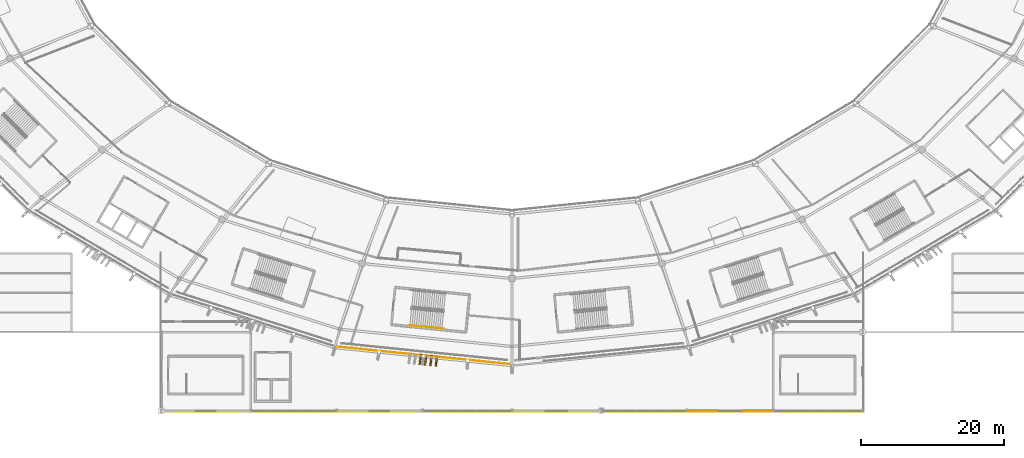
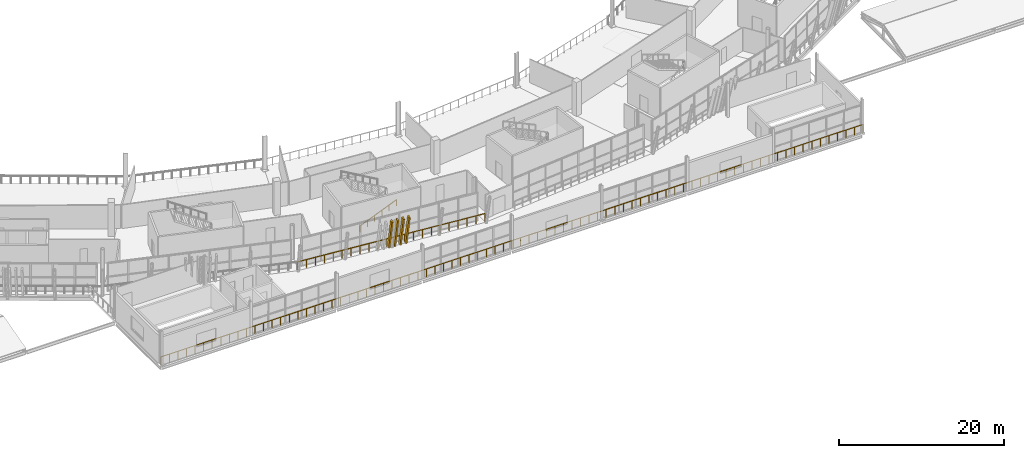
# One storey, part 150 of 179: 4 shading devices, 3 railings.
"""IFC4 building model written with IfcOpenShell, lengths in metres."""

import ifcopenshell
import ifcopenshell.guid

model = None  # the IFC model being written
_history = None  # IfcOwnerHistory: only IFC2X3 demands one
_inside = {}  # id of a spatial element -> (the spatial element, [elements in it])
_under = {}  # id of a project, library or spatial element -> (it, [spatial elements below it])
_declared = {}  # id of a project -> (the project, [libraries it declares])
_typed = {}  # id of a type object -> (the type object, [elements of that type])
_made_of = {}  # id of a material, layer set ... -> (it, [elements and type objects made of it])


def new_model(schema):
    """Start an empty IFC model of exactly this schema.

    Asked for "IFC4X3", IfcOpenShell would pick the latest addendum, in which some entities
    have other attributes; the version numbers below select the first issue.
    IFC2X3 requires an IfcOwnerHistory on every rooted entity: one is made here for all.
    """
    global model, _history
    if schema == "IFC4X3":
        model = ifcopenshell.file(schema_version=(4, 3, 0, 0))
    else:
        model = ifcopenshell.file(schema=schema)
    _inside.clear()
    _under.clear()
    _declared.clear()
    _typed.clear()
    _made_of.clear()
    _history = None
    if model.schema == "IFC2X3":
        org = make("IfcOrganization", Name="unknown")
        user = make(
            "IfcPersonAndOrganization",
            ThePerson=make("IfcPerson", FamilyName="unknown"),
            TheOrganization=org,
        )
        app = make(
            "IfcApplication",
            ApplicationDeveloper=org,
            Version="unknown",
            ApplicationFullName="unknown",
            ApplicationIdentifier="unknown",
        )
        _history = make(
            "IfcOwnerHistory",
            OwningUser=user,
            OwningApplication=app,
            ChangeAction="ADDED",
            CreationDate=0,
        )
    return model


def make(cls, **values):
    """One entity of the class cls with the attributes given. An attribute that is None is left unset."""
    return model.create_entity(
        cls, **{name: value for name, value in values.items() if value is not None}
    )


def rooted(cls, **values):
    """An entity with a GlobalId (a new one), such as an element, a storey or a relation."""
    return make(cls, GlobalId=ifcopenshell.guid.new(), OwnerHistory=_history, **values)


def si_unit(unit_type, name, prefix=None):
    """IfcSIUnit, for example si_unit("LENGTHUNIT", "METRE", prefix="MILLI")."""
    return make("IfcSIUnit", UnitType=unit_type, Prefix=prefix, Name=name)


def assignment(units):
    """IfcUnitAssignment: the units of a project."""
    return None if units is None else make("IfcUnitAssignment", Units=units)


def point(xyz):
    """IfcCartesianPoint."""
    return None if xyz is None else make("IfcCartesianPoint", Coordinates=xyz)


def direction(xyz):
    """IfcDirection."""
    return None if xyz is None else make("IfcDirection", DirectionRatios=xyz)


def frame(location, z_axis=None, x_axis=None):
    """IfcAxis2Placement3D, a coordinate frame: its origin and axes. An axis left out is left unset."""
    return make(
        "IfcAxis2Placement3D",
        Location=point(location),
        Axis=direction(z_axis),
        RefDirection=direction(x_axis),
    )


def frame_2d(location, x_axis=None):
    """IfcAxis2Placement2D, a coordinate frame in the plane: its origin and x axis."""
    return make(
        "IfcAxis2Placement2D", Location=point(location), RefDirection=direction(x_axis)
    )


def origin():
    """The frame at (0, 0, 0) with its axes left unset."""
    return frame((0.0, 0.0, 0.0))


def origin_2d():
    """The frame at (0, 0) in the plane with its x axis left unset."""
    return frame_2d((0.0, 0.0))


def place(relative_to, where):
    """IfcLocalPlacement: puts the frame where relative to a parent placement (None: the world)."""
    return make(
        "IfcLocalPlacement", PlacementRelTo=relative_to, RelativePlacement=where
    )


def context(
    kind, dimensions, precision=None, world=None, true_north=None, identifier=None
):
    """IfcGeometricRepresentationContext, for example the 3D "Model" context."""
    return make(
        "IfcGeometricRepresentationContext",
        ContextIdentifier=identifier,
        ContextType=kind,
        CoordinateSpaceDimension=dimensions,
        Precision=precision,
        WorldCoordinateSystem=world,
        TrueNorth=true_north,
    )


def subcontext(parent, identifier, kind, view, scale=None):
    """IfcGeometricRepresentationSubContext, for example "Body" below "Model"."""
    return make(
        "IfcGeometricRepresentationSubContext",
        ContextIdentifier=identifier,
        ContextType=kind,
        ParentContext=parent,
        TargetScale=scale,
        TargetView=view,
    )


def project(units=None, contexts=None):
    """IfcProject with its units and contexts."""
    return rooted(
        "IfcProject",
        Name="project",
        RepresentationContexts=contexts,
        UnitsInContext=assignment(units),
    )


def spatial(cls, under=None, at=None, **own):
    """A site, building, storey or space (cls), placed at a placement, below another one or the project."""
    s = rooted(cls, ObjectPlacement=at, **own)
    if under is not None:
        _under.setdefault(under.id(), (under, []))[1].append(s)
    return s


def profile(cls, at=None, kind="AREA", **sizes):
    """A parametric profile (cls). Its sizes go by their IFC names, for example OverallWidth=200.0."""
    return make(cls, ProfileType=kind, Position=at, **sizes)


def rectangle(**sizes):
    """IfcRectangleProfileDef."""
    return profile("IfcRectangleProfileDef", **sizes)


def extrude(swept, where, along, depth):
    """IfcExtrudedAreaSolid: the profile swept, set in the frame where, extruded along a direction by depth."""
    return make(
        "IfcExtrudedAreaSolid",
        SweptArea=swept,
        Position=where,
        ExtrudedDirection=direction(along),
        Depth=depth,
    )


def shape(context_of_items, identifier, shape_type, items):
    """IfcShapeRepresentation: the items that make up one representation, for example the "Body"."""
    return make(
        "IfcShapeRepresentation",
        ContextOfItems=context_of_items,
        RepresentationIdentifier=identifier,
        RepresentationType=shape_type,
        Items=items,
    )


def material(Name=None, Category=None):
    """IfcMaterial."""
    return make("IfcMaterial", Name=Name, Category=Category)


def material_profile(
    of_material, cross_section, Name=None, Category=None, Priority=None
):
    """IfcMaterialProfile: a cross section and its material."""
    return make(
        "IfcMaterialProfile",
        Name=Name,
        Material=of_material,
        Profile=cross_section,
        Priority=Priority,
        Category=Category,
    )


def profile_set(profiles, Name=None, composite=None):
    """IfcMaterialProfileSet."""
    return make(
        "IfcMaterialProfileSet",
        Name=Name,
        MaterialProfiles=profiles,
        CompositeProfile=composite,
    )


def made_of(thing, what):
    """Note that an element or type object is made of a material, layer set ...; save() writes the relation."""
    if what is not None:
        _made_of.setdefault(what.id(), (what, []))[1].append(thing)
    return thing


def type_object(cls, material=None, **own):
    """A type object (cls), such as IfcWallType, which elements share."""
    return made_of(rooted(cls, **own), material)


def element(
    cls,
    number,
    at=None,
    inside=None,
    cuts=None,
    type_object=None,
    material=None,
    context=None,
    identifier="Body",
    shape_type=None,
    held_by="IfcProductDefinitionShape",
    body=None,
    shapes=None,
    **own,
):
    """One element of the class cls, such as IfcWall. Its Tag is "e" and its number.

    at: its placement. inside: the storey or other place that contains it. cuts: it is an
    opening in that element (IfcRelVoidsElement). A single representation is given by context,
    identifier, shape_type and body (its items); several are given by shapes. held_by: the class
    of the entity that holds the representations. save() writes the other relations.
    """
    e = rooted(cls, Tag="e%d" % number, ObjectPlacement=at, **own)
    if body is not None:
        shapes = [shape(context, identifier, shape_type, body)]
    if shapes is not None:
        e.Representation = make(held_by, Representations=shapes)
    if inside is not None:
        _inside.setdefault(inside.id(), (inside, []))[1].append(e)
    if cuts is not None:
        rooted(
            "IfcRelVoidsElement", RelatingBuildingElement=cuts, RelatedOpeningElement=e
        )
    if type_object is not None:
        _typed.setdefault(type_object.id(), (type_object, []))[1].append(e)
    return made_of(e, material)


def aggregate(whole, parts):
    """IfcRelAggregates: a whole, such as a stair, and the parts it consists of."""
    return rooted("IfcRelAggregates", RelatingObject=whole, RelatedObjects=parts)


def save(model, path):
    """Write the relations noted so far, then the file.

    IfcRelAggregates (storeys below a building ...), IfcRelContainedInSpatialStructure (elements
    in a storey), IfcRelDefinesByType, IfcRelAssociatesMaterial and IfcRelDeclares: one each for
    every whole, place, type object, material and project.
    """
    for whole, parts in _under.values():
        aggregate(whole, parts)
    for where, things in _inside.values():
        rooted(
            "IfcRelContainedInSpatialStructure",
            RelatedElements=things,
            RelatingStructure=where,
        )
    for kind, things in _typed.values():
        rooted("IfcRelDefinesByType", RelatedObjects=things, RelatingType=kind)
    for what, things in _made_of.values():
        rooted("IfcRelAssociatesMaterial", RelatedObjects=things, RelatingMaterial=what)
    for by, libraries in _declared.values():
        rooted("IfcRelDeclares", RelatingContext=by, RelatedDefinitions=libraries)
    model.write(path)


model = new_model("IFC4")

# Units and contexts
model_context = context("Model", 3, precision=1e-05, world=origin(), true_north=direction((0.0, 1.0)))
body_context = subcontext(model_context, "Body", "Model", "MODEL_VIEW")
ifc_project = project(units=[si_unit("LENGTHUNIT", "METRE"), si_unit("AREAUNIT", "SQUARE_METRE"), si_unit("VOLUMEUNIT", "CUBIC_METRE"), si_unit("PLANEANGLEUNIT", "RADIAN"), si_unit("MASSUNIT", "GRAM", prefix="KILO")], contexts=[model_context])

# Site, building, storey
site_placement = place(None, origin())
site = spatial("IfcSite", under=ifc_project, at=site_placement, CompositionType="ELEMENT")
building_placement = place(site_placement, origin())
building = spatial("IfcBuilding", under=site, at=building_placement, Name="Zlatoyarsky Gate Stadium", CompositionType="ELEMENT")
storey_placement = place(building_placement, frame((0.0, 0.0, 10.60009765625)))
storey = spatial("IfcBuildingStorey", under=building, at=storey_placement, Name="L02", CompositionType="ELEMENT", Elevation=10.60009765625)

# Railings
ifc_material_1 = material(Name="Powder-coated steel tubular guardrail", Category="steel")
railing_type_1 = type_object("IfcRailingType", Name="CONCOURSE SLAB EDGE GUARDRAIL 1200", PredefinedType="GUARDRAIL", material=ifc_material_1)
railing_1_placement = place(storey_placement, frame((86.28369140625, 9.00830078125, 0.0)))
element("IfcRailing", 1, at=railing_1_placement, inside=storey, type_object=railing_type_1, Name="L02 outer slab edge guardrail 17", PredefinedType="GUARDRAIL", context=body_context, shape_type="SweptSolid", body=[
    extrude(rectangle(XDim=0.048095703125, YDim=0.048095703125, at=origin_2d()), frame((0.0, 0.0, 1.17578125), z_axis=(0.994906741175, -0.10079968435, 0.0), x_axis=(0.10079968435, 0.994906741175, 0.0)), (0.0, 0.0, 1.0), 24.8427734375),
    extrude(rectangle(XDim=0.0419921875, YDim=0.0419921875, at=origin_2d()), origin(), (0.0, 0.0, 1.0), 1.15185546875),
    extrude(rectangle(XDim=0.0419921875, YDim=0.0419921875, at=origin_2d()), frame((1.177001953125, -0.119140625, 0.0)), (0.0, 0.0, 1.0), 1.15185546875),
    extrude(rectangle(XDim=0.0419921875, YDim=0.0419921875, at=origin_2d()), frame((2.35400390625, -0.238525390625, 0.0)), (0.0, 0.0, 1.0), 1.15185546875),
    extrude(rectangle(XDim=0.0419921875, YDim=0.0419921875, at=origin_2d()), frame((3.531005859375, -0.357666015625, 0.0)), (0.0, 0.0, 1.0), 1.15185546875),
    extrude(rectangle(XDim=0.0419921875, YDim=0.0419921875, at=origin_2d()), frame((4.707763671875, -0.47705078125, 0.0)), (0.0, 0.0, 1.0), 1.15185546875),
    extrude(rectangle(XDim=0.0419921875, YDim=0.0419921875, at=origin_2d()), frame((5.884765625, -0.59619140625, 0.0)), (0.0, 0.0, 1.0), 1.15185546875),
    extrude(rectangle(XDim=0.0419921875, YDim=0.0419921875, at=origin_2d()), frame((7.061767578125, -0.715576171875, 0.0)), (0.0, 0.0, 1.0), 1.15185546875),
    extrude(rectangle(XDim=0.0419921875, YDim=0.0419921875, at=origin_2d()), frame((8.23876953125, -0.834716796875, 0.0)), (0.0, 0.0, 1.0), 1.15185546875),
    extrude(rectangle(XDim=0.0419921875, YDim=0.0419921875, at=origin_2d()), frame((9.415771484375, -0.953857421875, 0.0)), (0.0, 0.0, 1.0), 1.15185546875),
    extrude(rectangle(XDim=0.0419921875, YDim=0.0419921875, at=origin_2d()), frame((10.5927734375, -1.0732421875, 0.0)), (0.0, 0.0, 1.0), 1.15185546875),
    extrude(rectangle(XDim=0.0419921875, YDim=0.0419921875, at=origin_2d()), frame((11.769775390625, -1.1923828125, 0.0)), (0.0, 0.0, 1.0), 1.15185546875),
    extrude(rectangle(XDim=0.0419921875, YDim=0.0419921875, at=origin_2d()), frame((12.946533203125, -1.311767578125, 0.0)), (0.0, 0.0, 1.0), 1.15185546875),
    extrude(rectangle(XDim=0.0419921875, YDim=0.0419921875, at=origin_2d()), frame((14.12353515625, -1.430908203125, 0.0)), (0.0, 0.0, 1.0), 1.15185546875),
    extrude(rectangle(XDim=0.0419921875, YDim=0.0419921875, at=origin_2d()), frame((15.300537109375, -1.55029296875, 0.0)), (0.0, 0.0, 1.0), 1.15185546875),
    extrude(rectangle(XDim=0.0419921875, YDim=0.0419921875, at=origin_2d()), frame((16.4775390625, -1.66943359375, 0.0)), (0.0, 0.0, 1.0), 1.15185546875),
    extrude(rectangle(XDim=0.0419921875, YDim=0.0419921875, at=origin_2d()), frame((17.654541015625, -1.78857421875, 0.0)), (0.0, 0.0, 1.0), 1.15185546875),
    extrude(rectangle(XDim=0.0419921875, YDim=0.0419921875, at=origin_2d()), frame((18.83154296875, -1.907958984375, 0.0)), (0.0, 0.0, 1.0), 1.15185546875),
    extrude(rectangle(XDim=0.0419921875, YDim=0.0419921875, at=origin_2d()), frame((20.008544921875, -2.027099609375, 0.0)), (0.0, 0.0, 1.0), 1.15185546875),
    extrude(rectangle(XDim=0.0419921875, YDim=0.0419921875, at=origin_2d()), frame((21.185302734375, -2.146484375, 0.0)), (0.0, 0.0, 1.0), 1.15185546875),
    extrude(rectangle(XDim=0.0419921875, YDim=0.0419921875, at=origin_2d()), frame((22.3623046875, -2.265625, 0.0)), (0.0, 0.0, 1.0), 1.15185546875),
    extrude(rectangle(XDim=0.0419921875, YDim=0.0419921875, at=origin_2d()), frame((23.539306640625, -2.385009765625, 0.0)), (0.0, 0.0, 1.0), 1.15185546875),
    extrude(rectangle(XDim=0.0419921875, YDim=0.0419921875, at=origin_2d()), frame((24.71630859375, -2.504150390625, 0.0)), (0.0, 0.0, 1.0), 1.15185546875),
])
railing_2_placement = place(storey_placement, frame((61.919921875, -0.080078125, 0.0)))
element("IfcRailing", 2, at=railing_2_placement, inside=storey, type_object=railing_type_1, Name="V3_SOUTH L02 S slab edge guardrail", PredefinedType="GUARDRAIL", context=body_context, shape_type="SweptSolid", body=[
    extrude(rectangle(XDim=0.048095703125, YDim=0.048095703125, at=origin_2d()), frame((0.0, 0.0, 1.17578125), z_axis=(1.0, 0.0, 0.0), x_axis=(0.0, 1.0, 0.0)), (0.0, 0.0, 1.0), 98.16015625),
    extrude(rectangle(XDim=0.0419921875, YDim=0.0419921875, at=origin_2d()), origin(), (0.0, 0.0, 1.0), 1.15185546875),
    extrude(rectangle(XDim=0.0419921875, YDim=0.0419921875, at=origin_2d()), frame((1.197021484375, 0.0, 0.0)), (0.0, 0.0, 1.0), 1.15185546875),
    extrude(rectangle(XDim=0.0419921875, YDim=0.0419921875, at=origin_2d()), frame((2.39404296875, 0.0, 0.0)), (0.0, 0.0, 1.0), 1.15185546875),
    extrude(rectangle(XDim=0.0419921875, YDim=0.0419921875, at=origin_2d()), frame((3.59130859375, 0.0, 0.0)), (0.0, 0.0, 1.0), 1.15185546875),
    extrude(rectangle(XDim=0.0419921875, YDim=0.0419921875, at=origin_2d()), frame((4.788330078125, 0.0, 0.0)), (0.0, 0.0, 1.0), 1.15185546875),
    extrude(rectangle(XDim=0.0419921875, YDim=0.0419921875, at=origin_2d()), frame((5.9853515625, 0.0, 0.0)), (0.0, 0.0, 1.0), 1.15185546875),
    extrude(rectangle(XDim=0.0419921875, YDim=0.0419921875, at=origin_2d()), frame((7.182373046875, 0.0, 0.0)), (0.0, 0.0, 1.0), 1.15185546875),
    extrude(rectangle(XDim=0.0419921875, YDim=0.0419921875, at=origin_2d()), frame((8.379638671875, 0.0, 0.0)), (0.0, 0.0, 1.0), 1.15185546875),
    extrude(rectangle(XDim=0.0419921875, YDim=0.0419921875, at=origin_2d()), frame((9.57666015625, 0.0, 0.0)), (0.0, 0.0, 1.0), 1.15185546875),
    extrude(rectangle(XDim=0.0419921875, YDim=0.0419921875, at=origin_2d()), frame((10.773681640625, 0.0, 0.0)), (0.0, 0.0, 1.0), 1.15185546875),
    extrude(rectangle(XDim=0.0419921875, YDim=0.0419921875, at=origin_2d()), frame((11.970703125, 0.0, 0.0)), (0.0, 0.0, 1.0), 1.15185546875),
    extrude(rectangle(XDim=0.0419921875, YDim=0.0419921875, at=origin_2d()), frame((13.167724609375, 0.0, 0.0)), (0.0, 0.0, 1.0), 1.15185546875),
    extrude(rectangle(XDim=0.0419921875, YDim=0.0419921875, at=origin_2d()), frame((14.364990234375, 0.0, 0.0)), (0.0, 0.0, 1.0), 1.15185546875),
    extrude(rectangle(XDim=0.0419921875, YDim=0.0419921875, at=origin_2d()), frame((15.56201171875, 0.0, 0.0)), (0.0, 0.0, 1.0), 1.15185546875),
    extrude(rectangle(XDim=0.0419921875, YDim=0.0419921875, at=origin_2d()), frame((16.759033203125, 0.0, 0.0)), (0.0, 0.0, 1.0), 1.15185546875),
    extrude(rectangle(XDim=0.0419921875, YDim=0.0419921875, at=origin_2d()), frame((17.9560546875, 0.0, 0.0)), (0.0, 0.0, 1.0), 1.15185546875),
    extrude(rectangle(XDim=0.0419921875, YDim=0.0419921875, at=origin_2d()), frame((19.1533203125, 0.0, 0.0)), (0.0, 0.0, 1.0), 1.15185546875),
    extrude(rectangle(XDim=0.0419921875, YDim=0.0419921875, at=origin_2d()), frame((20.350341796875, 0.0, 0.0)), (0.0, 0.0, 1.0), 1.15185546875),
    extrude(rectangle(XDim=0.0419921875, YDim=0.0419921875, at=origin_2d()), frame((21.54736328125, 0.0, 0.0)), (0.0, 0.0, 1.0), 1.15185546875),
    extrude(rectangle(XDim=0.0419921875, YDim=0.0419921875, at=origin_2d()), frame((22.744384765625, 0.0, 0.0)), (0.0, 0.0, 1.0), 1.15185546875),
    extrude(rectangle(XDim=0.0419921875, YDim=0.0419921875, at=origin_2d()), frame((23.94140625, 0.0, 0.0)), (0.0, 0.0, 1.0), 1.15185546875),
    extrude(rectangle(XDim=0.0419921875, YDim=0.0419921875, at=origin_2d()), frame((25.138671875, 0.0, 0.0)), (0.0, 0.0, 1.0), 1.15185546875),
    extrude(rectangle(XDim=0.0419921875, YDim=0.0419921875, at=origin_2d()), frame((26.335693359375, 0.0, 0.0)), (0.0, 0.0, 1.0), 1.15185546875),
    extrude(rectangle(XDim=0.0419921875, YDim=0.0419921875, at=origin_2d()), frame((27.53271484375, 0.0, 0.0)), (0.0, 0.0, 1.0), 1.15185546875),
    extrude(rectangle(XDim=0.0419921875, YDim=0.0419921875, at=origin_2d()), frame((28.729736328125, 0.0, 0.0)), (0.0, 0.0, 1.0), 1.15185546875),
    extrude(rectangle(XDim=0.0419921875, YDim=0.0419921875, at=origin_2d()), frame((29.9267578125, 0.0, 0.0)), (0.0, 0.0, 1.0), 1.15185546875),
    extrude(rectangle(XDim=0.0419921875, YDim=0.0419921875, at=origin_2d()), frame((31.1240234375, 0.0, 0.0)), (0.0, 0.0, 1.0), 1.15185546875),
    extrude(rectangle(XDim=0.0419921875, YDim=0.0419921875, at=origin_2d()), frame((32.321044921875, 0.0, 0.0)), (0.0, 0.0, 1.0), 1.15185546875),
    extrude(rectangle(XDim=0.0419921875, YDim=0.0419921875, at=origin_2d()), frame((33.51806640625, 0.0, 0.0)), (0.0, 0.0, 1.0), 1.15185546875),
    extrude(rectangle(XDim=0.0419921875, YDim=0.0419921875, at=origin_2d()), frame((34.715087890625, 0.0, 0.0)), (0.0, 0.0, 1.0), 1.15185546875),
    extrude(rectangle(XDim=0.0419921875, YDim=0.0419921875, at=origin_2d()), frame((35.912353515625, 0.0, 0.0)), (0.0, 0.0, 1.0), 1.15185546875),
    extrude(rectangle(XDim=0.0419921875, YDim=0.0419921875, at=origin_2d()), frame((37.109375, 0.0, 0.0)), (0.0, 0.0, 1.0), 1.15185546875),
    extrude(rectangle(XDim=0.0419921875, YDim=0.0419921875, at=origin_2d()), frame((38.306396484375, 0.0, 0.0)), (0.0, 0.0, 1.0), 1.15185546875),
    extrude(rectangle(XDim=0.0419921875, YDim=0.0419921875, at=origin_2d()), frame((39.50341796875, 0.0, 0.0)), (0.0, 0.0, 1.0), 1.15185546875),
    extrude(rectangle(XDim=0.0419921875, YDim=0.0419921875, at=origin_2d()), frame((40.700439453125, 0.0, 0.0)), (0.0, 0.0, 1.0), 1.15185546875),
    extrude(rectangle(XDim=0.0419921875, YDim=0.0419921875, at=origin_2d()), frame((41.897705078125, 0.0, 0.0)), (0.0, 0.0, 1.0), 1.15185546875),
    extrude(rectangle(XDim=0.0419921875, YDim=0.0419921875, at=origin_2d()), frame((43.0947265625, 0.0, 0.0)), (0.0, 0.0, 1.0), 1.15185546875),
    extrude(rectangle(XDim=0.0419921875, YDim=0.0419921875, at=origin_2d()), frame((44.291748046875, 0.0, 0.0)), (0.0, 0.0, 1.0), 1.15185546875),
    extrude(rectangle(XDim=0.0419921875, YDim=0.0419921875, at=origin_2d()), frame((45.48876953125, 0.0, 0.0)), (0.0, 0.0, 1.0), 1.15185546875),
    extrude(rectangle(XDim=0.0419921875, YDim=0.0419921875, at=origin_2d()), frame((46.68603515625, 0.0, 0.0)), (0.0, 0.0, 1.0), 1.15185546875),
    extrude(rectangle(XDim=0.0419921875, YDim=0.0419921875, at=origin_2d()), frame((47.883056640625, 0.0, 0.0)), (0.0, 0.0, 1.0), 1.15185546875),
    extrude(rectangle(XDim=0.0419921875, YDim=0.0419921875, at=origin_2d()), frame((49.080078125, 0.0, 0.0)), (0.0, 0.0, 1.0), 1.15185546875),
    extrude(rectangle(XDim=0.0419921875, YDim=0.0419921875, at=origin_2d()), frame((50.277099609375, 0.0, 0.0)), (0.0, 0.0, 1.0), 1.15185546875),
    extrude(rectangle(XDim=0.0419921875, YDim=0.0419921875, at=origin_2d()), frame((51.47412109375, 0.0, 0.0)), (0.0, 0.0, 1.0), 1.15185546875),
    extrude(rectangle(XDim=0.0419921875, YDim=0.0419921875, at=origin_2d()), frame((52.67138671875, 0.0, 0.0)), (0.0, 0.0, 1.0), 1.15185546875),
    extrude(rectangle(XDim=0.0419921875, YDim=0.0419921875, at=origin_2d()), frame((53.868408203125, 0.0, 0.0)), (0.0, 0.0, 1.0), 1.15185546875),
    extrude(rectangle(XDim=0.0419921875, YDim=0.0419921875, at=origin_2d()), frame((55.0654296875, 0.0, 0.0)), (0.0, 0.0, 1.0), 1.15185546875),
    extrude(rectangle(XDim=0.0419921875, YDim=0.0419921875, at=origin_2d()), frame((56.262451171875, 0.0, 0.0)), (0.0, 0.0, 1.0), 1.15185546875),
    extrude(rectangle(XDim=0.0419921875, YDim=0.0419921875, at=origin_2d()), frame((57.459716796875, 0.0, 0.0)), (0.0, 0.0, 1.0), 1.15185546875),
    extrude(rectangle(XDim=0.0419921875, YDim=0.0419921875, at=origin_2d()), frame((58.65673828125, 0.0, 0.0)), (0.0, 0.0, 1.0), 1.15185546875),
    extrude(rectangle(XDim=0.0419921875, YDim=0.0419921875, at=origin_2d()), frame((59.853759765625, 0.0, 0.0)), (0.0, 0.0, 1.0), 1.15185546875),
    extrude(rectangle(XDim=0.0419921875, YDim=0.0419921875, at=origin_2d()), frame((61.05078125, 0.0, 0.0)), (0.0, 0.0, 1.0), 1.15185546875),
    extrude(rectangle(XDim=0.0419921875, YDim=0.0419921875, at=origin_2d()), frame((62.247802734375, 0.0, 0.0)), (0.0, 0.0, 1.0), 1.15185546875),
    extrude(rectangle(XDim=0.0419921875, YDim=0.0419921875, at=origin_2d()), frame((63.445068359375, 0.0, 0.0)), (0.0, 0.0, 1.0), 1.15185546875),
    extrude(rectangle(XDim=0.0419921875, YDim=0.0419921875, at=origin_2d()), frame((64.64208984375, 0.0, 0.0)), (0.0, 0.0, 1.0), 1.15185546875),
    extrude(rectangle(XDim=0.0419921875, YDim=0.0419921875, at=origin_2d()), frame((65.839111328125, 0.0, 0.0)), (0.0, 0.0, 1.0), 1.15185546875),
    extrude(rectangle(XDim=0.0419921875, YDim=0.0419921875, at=origin_2d()), frame((67.0361328125, 0.0, 0.0)), (0.0, 0.0, 1.0), 1.15185546875),
    extrude(rectangle(XDim=0.0419921875, YDim=0.0419921875, at=origin_2d()), frame((68.2333984375, 0.0, 0.0)), (0.0, 0.0, 1.0), 1.15185546875),
    extrude(rectangle(XDim=0.0419921875, YDim=0.0419921875, at=origin_2d()), frame((69.430419921875, 0.0, 0.0)), (0.0, 0.0, 1.0), 1.15185546875),
    extrude(rectangle(XDim=0.0419921875, YDim=0.0419921875, at=origin_2d()), frame((70.62744140625, 0.0, 0.0)), (0.0, 0.0, 1.0), 1.15185546875),
    extrude(rectangle(XDim=0.0419921875, YDim=0.0419921875, at=origin_2d()), frame((71.824462890625, 0.0, 0.0)), (0.0, 0.0, 1.0), 1.15185546875),
    extrude(rectangle(XDim=0.0419921875, YDim=0.0419921875, at=origin_2d()), frame((73.021484375, 0.0, 0.0)), (0.0, 0.0, 1.0), 1.15185546875),
    extrude(rectangle(XDim=0.0419921875, YDim=0.0419921875, at=origin_2d()), frame((74.21875, 0.0, 0.0)), (0.0, 0.0, 1.0), 1.15185546875),
    extrude(rectangle(XDim=0.0419921875, YDim=0.0419921875, at=origin_2d()), frame((75.415771484375, 0.0, 0.0)), (0.0, 0.0, 1.0), 1.15185546875),
    extrude(rectangle(XDim=0.0419921875, YDim=0.0419921875, at=origin_2d()), frame((76.61279296875, 0.0, 0.0)), (0.0, 0.0, 1.0), 1.15185546875),
    extrude(rectangle(XDim=0.0419921875, YDim=0.0419921875, at=origin_2d()), frame((77.809814453125, 0.0, 0.0)), (0.0, 0.0, 1.0), 1.15185546875),
    extrude(rectangle(XDim=0.0419921875, YDim=0.0419921875, at=origin_2d()), frame((79.0068359375, 0.0, 0.0)), (0.0, 0.0, 1.0), 1.15185546875),
    extrude(rectangle(XDim=0.0419921875, YDim=0.0419921875, at=origin_2d()), frame((80.2041015625, 0.0, 0.0)), (0.0, 0.0, 1.0), 1.15185546875),
    extrude(rectangle(XDim=0.0419921875, YDim=0.0419921875, at=origin_2d()), frame((81.401123046875, 0.0, 0.0)), (0.0, 0.0, 1.0), 1.15185546875),
    extrude(rectangle(XDim=0.0419921875, YDim=0.0419921875, at=origin_2d()), frame((82.59814453125, 0.0, 0.0)), (0.0, 0.0, 1.0), 1.15185546875),
    extrude(rectangle(XDim=0.0419921875, YDim=0.0419921875, at=origin_2d()), frame((83.795166015625, 0.0, 0.0)), (0.0, 0.0, 1.0), 1.15185546875),
    extrude(rectangle(XDim=0.0419921875, YDim=0.0419921875, at=origin_2d()), frame((84.992431640625, 0.0, 0.0)), (0.0, 0.0, 1.0), 1.15185546875),
    extrude(rectangle(XDim=0.0419921875, YDim=0.0419921875, at=origin_2d()), frame((86.189453125, 0.0, 0.0)), (0.0, 0.0, 1.0), 1.15185546875),
    extrude(rectangle(XDim=0.0419921875, YDim=0.0419921875, at=origin_2d()), frame((87.386474609375, 0.0, 0.0)), (0.0, 0.0, 1.0), 1.15185546875),
    extrude(rectangle(XDim=0.0419921875, YDim=0.0419921875, at=origin_2d()), frame((88.58349609375, 0.0, 0.0)), (0.0, 0.0, 1.0), 1.15185546875),
    extrude(rectangle(XDim=0.0419921875, YDim=0.0419921875, at=origin_2d()), frame((89.780517578125, 0.0, 0.0)), (0.0, 0.0, 1.0), 1.15185546875),
    extrude(rectangle(XDim=0.0419921875, YDim=0.0419921875, at=origin_2d()), frame((90.977783203125, 0.0, 0.0)), (0.0, 0.0, 1.0), 1.15185546875),
    extrude(rectangle(XDim=0.0419921875, YDim=0.0419921875, at=origin_2d()), frame((92.1748046875, 0.0, 0.0)), (0.0, 0.0, 1.0), 1.15185546875),
    extrude(rectangle(XDim=0.0419921875, YDim=0.0419921875, at=origin_2d()), frame((93.371826171875, 0.0, 0.0)), (0.0, 0.0, 1.0), 1.15185546875),
    extrude(rectangle(XDim=0.0419921875, YDim=0.0419921875, at=origin_2d()), frame((94.56884765625, 0.0, 0.0)), (0.0, 0.0, 1.0), 1.15185546875),
    extrude(rectangle(XDim=0.0419921875, YDim=0.0419921875, at=origin_2d()), frame((95.76611328125, 0.0, 0.0)), (0.0, 0.0, 1.0), 1.15185546875),
    extrude(rectangle(XDim=0.0419921875, YDim=0.0419921875, at=origin_2d()), frame((96.963134765625, 0.0, 0.0)), (0.0, 0.0, 1.0), 1.15185546875),
    extrude(rectangle(XDim=0.0419921875, YDim=0.0419921875, at=origin_2d()), frame((98.16015625, 0.0, 0.0)), (0.0, 0.0, 1.0), 1.15185546875),
])

# Shading devices
ifc_material_2 = material(Name="Precast concrete C40/50 stone-toned architectural rib", Category="masonry")
ifc_material_profile = material_profile(ifc_material_2, rectangle(XDim=0.199951171875, YDim=0.47998046875, at=origin_2d()), Name="RIB 200X480")
ifc_profile_set = profile_set([ifc_material_profile], Name="Precast concrete C40/50 stone-toned architectural rib")
shading_device_type = type_object("IfcShadingDeviceType", Name="PRECAST FLUTED GATE LOUVRE BLADE 200X480", PredefinedType="SHUTTER", material=ifc_profile_set)
for number, where, z_axis, x_axis, name in (
    (3, (98.255859375, 7.69580078125, -0.010009765625), (-0.02975975533, -0.219478195556, 0.975163411249), (0.99093208818, -0.134363672974, 0.0), "Leaning bowl louvre fin L02-17-3"),
    (4, (99.002197265625, 7.6201171875, -0.010009765625), (-0.028059267616, -0.21969131122, 0.975165834756), (0.991942082358, -0.126692167268, 0.0), "Leaning bowl louvre fin L02-17-4"),
    (5, (99.748291015625, 7.54443359375, -0.010009765625), (-0.026305588314, -0.219904089787, 0.975166758723), (0.992921051262, -0.118776201154, 0.0), "Leaning bowl louvre fin L02-17-5"),
):
    element("IfcShadingDevice", number, at=place(storey_placement, frame(where, z_axis=z_axis, x_axis=x_axis)), inside=storey, type_object=shading_device_type, Name=name, PredefinedType="SHUTTER", context=body_context, shape_type="SweptSolid", body=[
        extrude(rectangle(XDim=0.199951171875, YDim=0.47998046875, at=origin_2d()), origin(), (0.0, 0.0, 1.0), 4.593994140625),
    ])
shading_device_placement = place(storey_placement, frame((100.494384765625, 7.468994140625, -0.010009765625), z_axis=(-0.024551541846, -0.220166748634, 0.975153231338), x_axis=(0.993839774973, -0.110826448476, 0.0)))
element("IfcShadingDevice", 6, at=shading_device_placement, inside=storey, type_object=shading_device_type, Name="Leaning bowl louvre fin L02-17-6", PredefinedType="SHUTTER", context=body_context, shape_type="SweptSolid", body=[
    extrude(rectangle(XDim=0.199951171875, YDim=0.47998046875, at=origin_2d()), origin(), (0.0, 0.0, 1.0), 4.59423828125),
])

# Railing
ifc_material_3 = material(Name="Brushed stainless steel 316 handrail", Category="steel")
railing_type_2 = type_object("IfcRailingType", Name="STAINLESS STEEL TUBULAR HANDRAIL 900", PredefinedType="HANDRAIL", material=ifc_material_3)
railing_3_placement = place(storey_placement, frame((96.7353515625, 11.958984375, 0.16015625)))
element("IfcRailing", 7, at=railing_3_placement, inside=storey, type_object=railing_type_2, Name="ST-19 L02 stair handrail 1", PredefinedType="HANDRAIL", context=body_context, shape_type="SweptSolid", body=[
    extrude(rectangle(XDim=0.048095703125, YDim=0.048095703125, at=origin_2d()), frame((0.0, 0.0, 0.8759765625), z_axis=(0.882476149141, -0.088685176569, 0.461920756899), x_axis=(0.099992171352, 0.994988223884, 0.0)), (0.0, 0.0, 1.0), 5.412109375),
    extrude(rectangle(XDim=0.0419921875, YDim=0.0419921875, at=origin_2d()), origin(), (0.0, 0.0, 1.0), 0.851806640625),
    extrude(rectangle(XDim=0.0419921875, YDim=0.0419921875, at=origin_2d()), frame((0.955322265625, -0.095947265625, 0.5)), (0.0, 0.0, 1.0), 0.851806640625),
    extrude(rectangle(XDim=0.0419921875, YDim=0.0419921875, at=origin_2d()), frame((1.910400390625, -0.19189453125, 1.0)), (0.0, 0.0, 1.0), 0.851806640625),
    extrude(rectangle(XDim=0.0419921875, YDim=0.0419921875, at=origin_2d()), frame((2.86572265625, -0.2880859375, 1.5)), (0.0, 0.0, 1.0), 0.851806640625),
    extrude(rectangle(XDim=0.0419921875, YDim=0.0419921875, at=origin_2d()), frame((3.82080078125, -0.384033203125, 2.0)), (0.0, 0.0, 1.0), 0.851806640625),
    extrude(rectangle(XDim=0.0419921875, YDim=0.0419921875, at=origin_2d()), frame((4.776123046875, -0.47998046875, 2.5)), (0.0, 0.0, 1.0), 0.851806640625),
])

save(model, "model.ifc")
